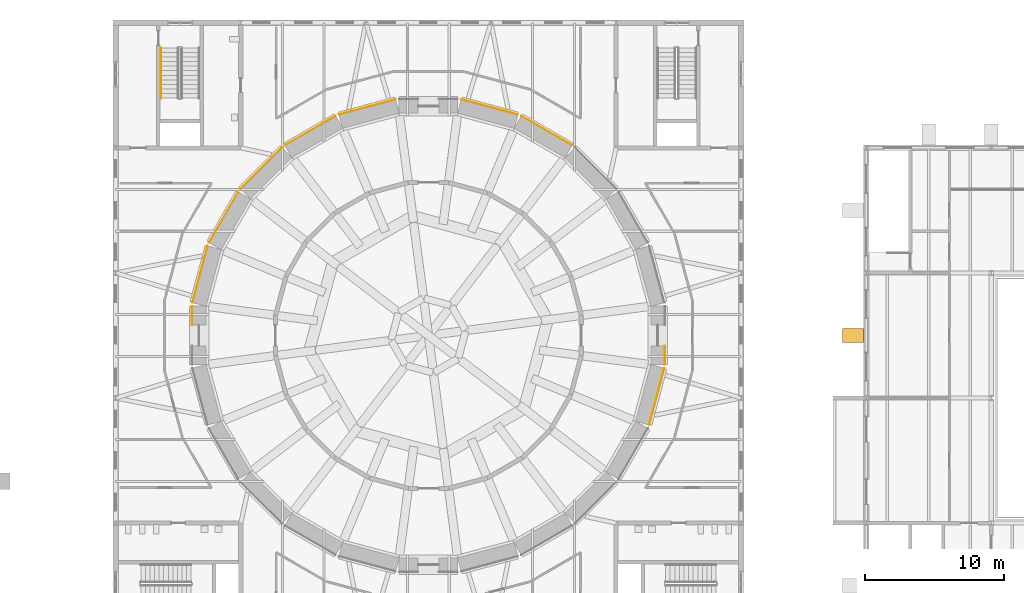
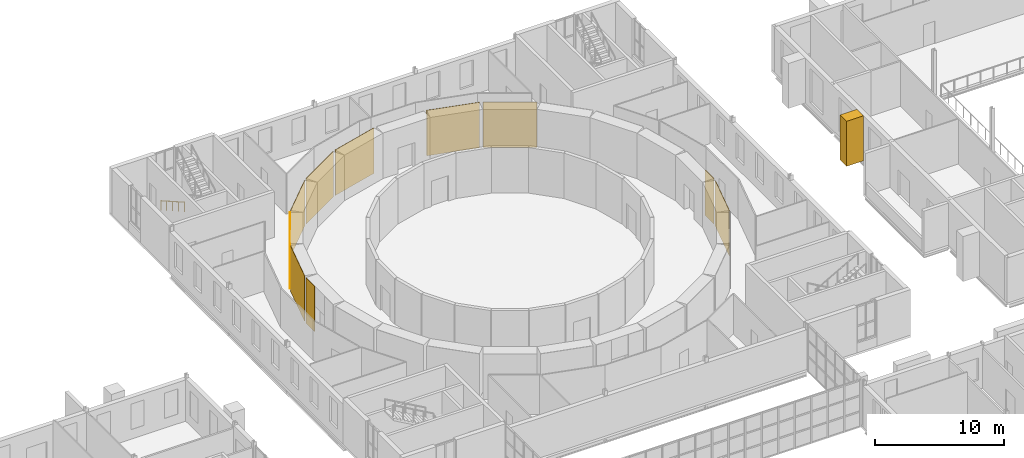
# One storey, part 122 of 131: 11 coverings, 1 railing.
"""IFC4 building model written with IfcOpenShell, lengths in metres."""

from ifc_helpers import new_model, si_unit, direction, frame, origin, origin_2d, place, context, subcontext, project, spatial, polyline, rectangle, circle, outline, extrude, material, layer, layer_set, type_object, element, save


model = new_model("IFC4")

# Units and contexts
model_context = context("Model", 3, precision=1e-05, world=origin(), true_north=direction((0.0, 1.0)))
body_context = subcontext(model_context, "Body", "Model", "MODEL_VIEW")
ifc_project = project(units=[si_unit("LENGTHUNIT", "METRE"), si_unit("AREAUNIT", "SQUARE_METRE"), si_unit("VOLUMEUNIT", "CUBIC_METRE"), si_unit("PLANEANGLEUNIT", "RADIAN"), si_unit("MASSUNIT", "GRAM", prefix="KILO")], contexts=[model_context])

# Site, building, storey
site_placement = place(None, origin())
site = spatial("IfcSite", under=ifc_project, at=site_placement, CompositionType="ELEMENT")
building_placement = place(site_placement, origin())
building = spatial("IfcBuilding", under=site, at=building_placement, Name="Golden Quay Civic Hall", CompositionType="ELEMENT")
storey_placement = place(building_placement, frame((0.0, 0.0, 9.89990234375)))
storey = spatial("IfcBuildingStorey", under=building, at=storey_placement, Name="L02", CompositionType="ELEMENT", Elevation=9.89990234375)

# Coverings
ifc_material_1 = material(Name="Brick, dark clay facing", Category="masonry")
covering_type_1 = type_object("IfcCoveringType", Name="Brick pier cladding 1000 x 1500", PredefinedType="CLADDING", material=ifc_material_1)
covering_1_placement = place(storey_placement, origin())
element("IfcCovering", 1, at=covering_1_placement, inside=storey, type_object=covering_type_1, Name="Brick pier cladding 1000 x 1500 L02 10", PredefinedType="CLADDING", context=body_context, shape_type="SweptSolid", body=[
    extrude(outline(polyline([(116.800048828125, 85.0), (116.800048828125, 86.0), (115.300048828125, 86.0), (115.300048828125, 85.0), (116.800048828125, 85.0)])), origin(), (0.0, 0.0, 1.0), 4.25),
])
ifc_material_2 = material(Name="Ceramic tile")
ifc_layer = layer(ifc_material_2, 0.030029296875)
ifc_layer_set = layer_set([ifc_layer], Name="Ceramic tile cladding, green glaze")
covering_type_2 = type_object("IfcCoveringType", Name="Ceramic tile cladding, green glaze", PredefinedType="CLADDING", material=ifc_layer_set)
for number, where, z_axis, x_axis, name in (
    (2, (94.007568359375, 100.2353515625, 0.0), (0.0, 0.0, 1.0), (-0.866025403784, 0.5, 0.0), "Drum cladding 4.1"),
    (3, (89.90380859375, 101.935302734375, 0.0), (0.0, 0.0, 1.0), (-0.965925826289, 0.258819045103, 0.0), "Drum cladding 5.1"),
    (4, (81.09619140625, 101.935302734375, 0.0), (0.0, 0.0, 1.0), (-0.965925826289, -0.258819045103, 0.0), "Drum cladding 7.1"),
    (5, (76.992431640625, 100.2353515625, 0.0), (0.0, 0.0, 1.0), (-0.866025403784, -0.5, 0.0), "Drum cladding 8.1"),
    (6, (73.468505859375, 97.531494140625, 0.0), (0.0, 0.0, 1.0), (-0.707106781187, -0.707106781187, 0.0), "Drum cladding 9.1"),
    (7, (70.7646484375, 94.007568359375, 0.0), (0.0, 0.0, 1.0), (-0.5, -0.866025403784, 0.0), "Drum cladding 10.1"),
    (8, (69.064697265625, 89.90380859375, 0.0), (0.0, 0.0, 1.0), (-0.258819045103, -0.965925826289, 0.0), "Drum cladding 11.1"),
):
    element("IfcCovering", number, at=place(storey_placement, frame(where, z_axis=z_axis, x_axis=x_axis)), inside=storey, type_object=covering_type_2, Name=name, PredefinedType="CLADDING", context=body_context, shape_type="SweptSolid", body=[
        extrude(rectangle(XDim=4.212890625, YDim=0.030029296875, at=origin_2d()), origin(), (0.0, 0.0, 1.0), 4.300048828125),
    ])
covering_2_placement = place(storey_placement, frame((68.485107421875, 86.92822265625, 0.0), z_axis=(0.0, 0.0, 1.0), x_axis=(0.0, -1.0, 0.0)))
element("IfcCovering", 9, at=covering_2_placement, inside=storey, type_object=covering_type_2, Name="Drum cladding 12.1", PredefinedType="CLADDING", context=body_context, shape_type="SweptSolid", body=[
    extrude(rectangle(XDim=1.3564453125, YDim=0.030029296875, at=origin_2d()), origin(), (0.0, 0.0, 1.0), 4.300048828125),
])
covering_3_placement = place(storey_placement, frame((101.935302734375, 81.09619140625, 0.0), z_axis=(0.0, 0.0, 1.0), x_axis=(0.258819045103, 0.965925826289, 0.0)))
element("IfcCovering", 10, at=covering_3_placement, inside=storey, type_object=covering_type_2, Name="Drum cladding 23.1", PredefinedType="CLADDING", context=body_context, shape_type="SweptSolid", body=[
    extrude(rectangle(XDim=4.212890625, YDim=0.030029296875, at=origin_2d()), origin(), (0.0, 0.0, 1.0), 4.300048828125),
])
covering_4_placement = place(storey_placement, frame((102.514892578125, 84.07177734375, 0.0), z_axis=(0.0, 0.0, 1.0), x_axis=(0.0, 1.0, 0.0)))
element("IfcCovering", 11, at=covering_4_placement, inside=storey, type_object=covering_type_2, Name="Drum cladding 24.1", PredefinedType="CLADDING", context=body_context, shape_type="SweptSolid", body=[
    extrude(rectangle(XDim=1.3564453125, YDim=0.030029296875, at=origin_2d()), origin(), (0.0, 0.0, 1.0), 4.300048828125),
])

# Railing
ifc_material_3 = material(Name="Steel S355", Category="steel")
railing_type = type_object("IfcRailingType", Name="Steel handrail 900", PredefinedType="HANDRAIL", material=ifc_material_3)
railing_placement = place(storey_placement, frame((66.25, 106.199951171875, 0.1875)))
element("IfcRailing", 12, at=railing_placement, inside=storey, type_object=railing_type, Name="L02 CB-NW stair handrail 1", PredefinedType="HANDRAIL", context=body_context, shape_type="SweptSolid", body=[
    extrude(circle(Radius=0.02392578125, at=origin_2d()), frame((0.0, 0.0, 0.8759765625), z_axis=(0.0, -0.869449707104, 0.494021463923), x_axis=(1.0, 0.0, 0.0)), (0.0, 0.0, 1.0), 4.1748046875),
    extrude(circle(Radius=0.02099609375, at=origin_2d()), origin(), (0.0, 0.0, 1.0), 0.851806640625),
    extrude(circle(Radius=0.02099609375, at=origin_2d()), frame((0.0, -0.907470703125, 0.515625)), (0.0, 0.0, 1.0), 0.851806640625),
    extrude(circle(Radius=0.02099609375, at=origin_2d()), frame((0.0, -1.81494140625, 1.03125)), (0.0, 0.0, 1.0), 0.851806640625),
    extrude(circle(Radius=0.02099609375, at=origin_2d()), frame((0.0, -2.722412109375, 1.546875)), (0.0, 0.0, 1.0), 0.851806640625),
    extrude(circle(Radius=0.02099609375, at=origin_2d()), frame((0.0, -3.6298828125, 2.0625)), (0.0, 0.0, 1.0), 0.851806640625),
])

save(model, "model.ifc")
